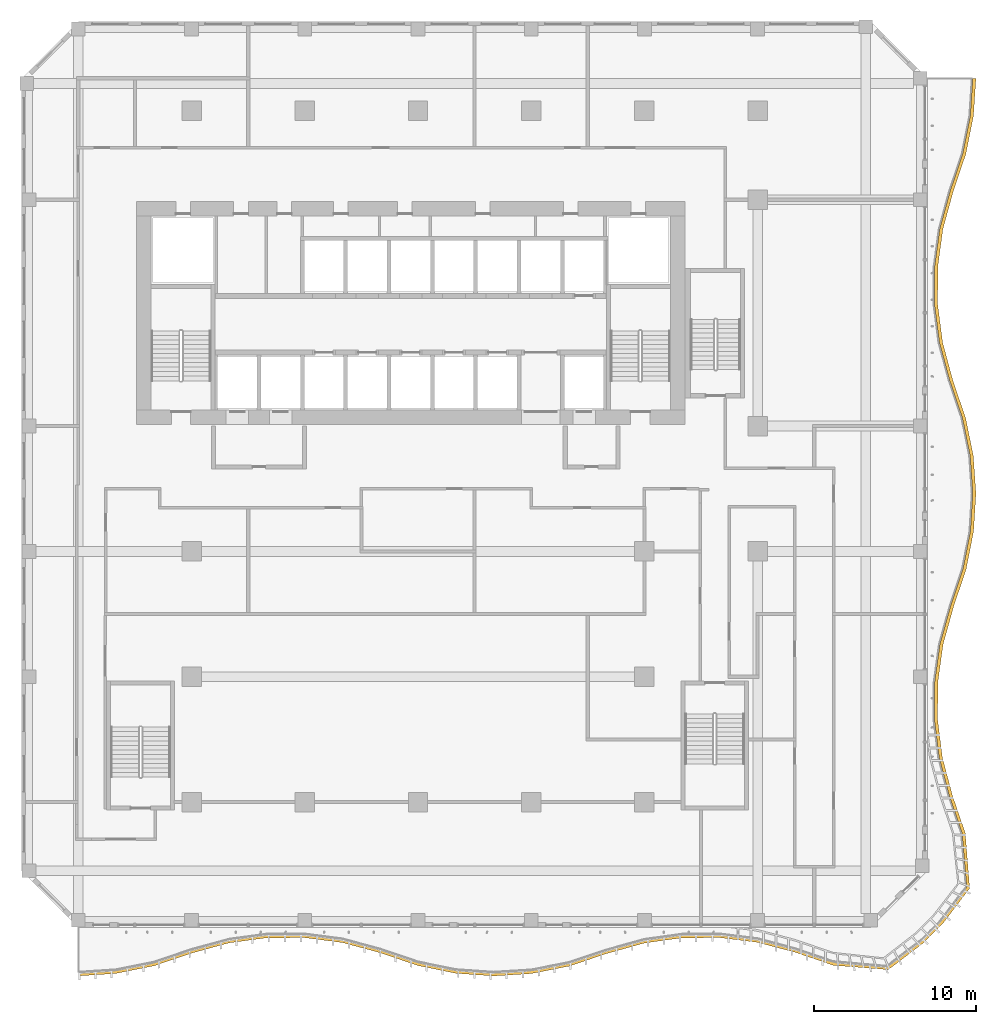
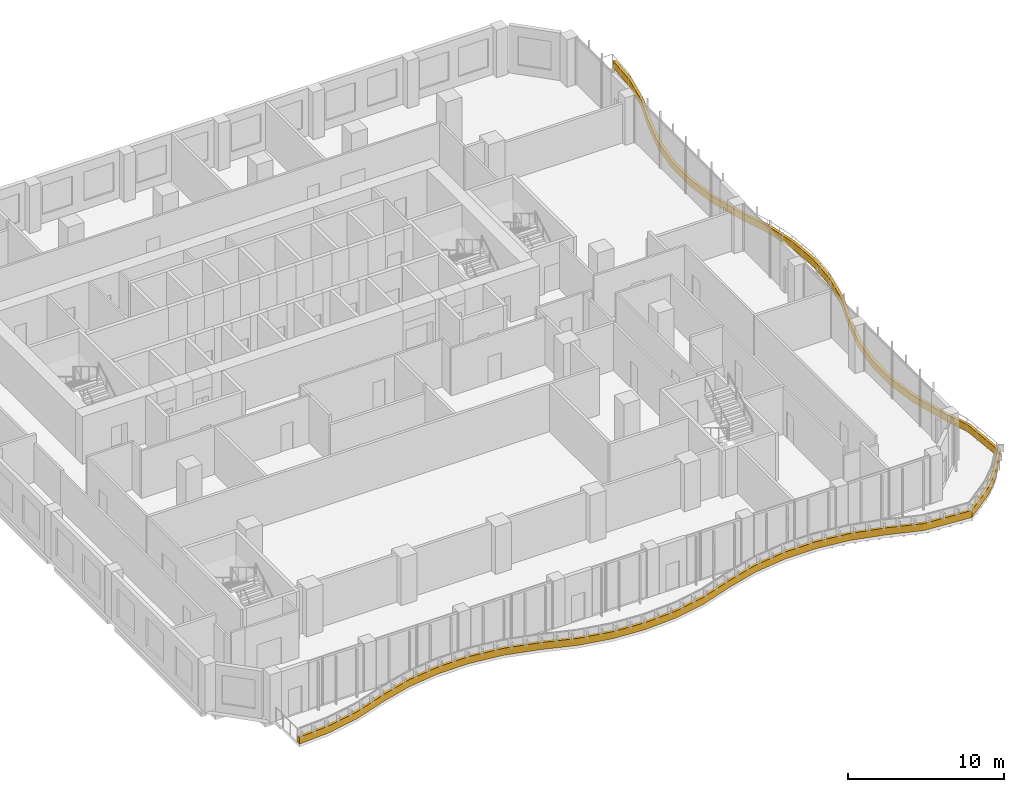
# One storey, part 23 of 27: 1 shading device.
"""IFC4 building model written with IfcOpenShell, lengths in metres."""

import ifcopenshell
import ifcopenshell.guid

model = None  # the IFC model being written
_history = None  # IfcOwnerHistory: only IFC2X3 demands one
_inside = {}  # id of a spatial element -> (the spatial element, [elements in it])
_under = {}  # id of a project, library or spatial element -> (it, [spatial elements below it])
_declared = {}  # id of a project -> (the project, [libraries it declares])
_typed = {}  # id of a type object -> (the type object, [elements of that type])
_made_of = {}  # id of a material, layer set ... -> (it, [elements and type objects made of it])


def new_model(schema):
    """Start an empty IFC model of exactly this schema.

    Asked for "IFC4X3", IfcOpenShell would pick the latest addendum, in which some entities
    have other attributes; the version numbers below select the first issue.
    IFC2X3 requires an IfcOwnerHistory on every rooted entity: one is made here for all.
    """
    global model, _history
    if schema == "IFC4X3":
        model = ifcopenshell.file(schema_version=(4, 3, 0, 0))
    else:
        model = ifcopenshell.file(schema=schema)
    _inside.clear()
    _under.clear()
    _declared.clear()
    _typed.clear()
    _made_of.clear()
    _history = None
    if model.schema == "IFC2X3":
        org = make("IfcOrganization", Name="unknown")
        user = make(
            "IfcPersonAndOrganization",
            ThePerson=make("IfcPerson", FamilyName="unknown"),
            TheOrganization=org,
        )
        app = make(
            "IfcApplication",
            ApplicationDeveloper=org,
            Version="unknown",
            ApplicationFullName="unknown",
            ApplicationIdentifier="unknown",
        )
        _history = make(
            "IfcOwnerHistory",
            OwningUser=user,
            OwningApplication=app,
            ChangeAction="ADDED",
            CreationDate=0,
        )
    return model


def make(cls, **values):
    """One entity of the class cls with the attributes given. An attribute that is None is left unset."""
    return model.create_entity(
        cls, **{name: value for name, value in values.items() if value is not None}
    )


def rooted(cls, **values):
    """An entity with a GlobalId (a new one), such as an element, a storey or a relation."""
    return make(cls, GlobalId=ifcopenshell.guid.new(), OwnerHistory=_history, **values)


def si_unit(unit_type, name, prefix=None):
    """IfcSIUnit, for example si_unit("LENGTHUNIT", "METRE", prefix="MILLI")."""
    return make("IfcSIUnit", UnitType=unit_type, Prefix=prefix, Name=name)


def assignment(units):
    """IfcUnitAssignment: the units of a project."""
    return None if units is None else make("IfcUnitAssignment", Units=units)


def point(xyz):
    """IfcCartesianPoint."""
    return None if xyz is None else make("IfcCartesianPoint", Coordinates=xyz)


def direction(xyz):
    """IfcDirection."""
    return None if xyz is None else make("IfcDirection", DirectionRatios=xyz)


def frame(location, z_axis=None, x_axis=None):
    """IfcAxis2Placement3D, a coordinate frame: its origin and axes. An axis left out is left unset."""
    return make(
        "IfcAxis2Placement3D",
        Location=point(location),
        Axis=direction(z_axis),
        RefDirection=direction(x_axis),
    )


def origin():
    """The frame at (0, 0, 0) with its axes left unset."""
    return frame((0.0, 0.0, 0.0))


def place(relative_to, where):
    """IfcLocalPlacement: puts the frame where relative to a parent placement (None: the world)."""
    return make(
        "IfcLocalPlacement", PlacementRelTo=relative_to, RelativePlacement=where
    )


def context(
    kind, dimensions, precision=None, world=None, true_north=None, identifier=None
):
    """IfcGeometricRepresentationContext, for example the 3D "Model" context."""
    return make(
        "IfcGeometricRepresentationContext",
        ContextIdentifier=identifier,
        ContextType=kind,
        CoordinateSpaceDimension=dimensions,
        Precision=precision,
        WorldCoordinateSystem=world,
        TrueNorth=true_north,
    )


def subcontext(parent, identifier, kind, view, scale=None):
    """IfcGeometricRepresentationSubContext, for example "Body" below "Model"."""
    return make(
        "IfcGeometricRepresentationSubContext",
        ContextIdentifier=identifier,
        ContextType=kind,
        ParentContext=parent,
        TargetScale=scale,
        TargetView=view,
    )


def project(units=None, contexts=None):
    """IfcProject with its units and contexts."""
    return rooted(
        "IfcProject",
        Name="project",
        RepresentationContexts=contexts,
        UnitsInContext=assignment(units),
    )


def spatial(cls, under=None, at=None, **own):
    """A site, building, storey or space (cls), placed at a placement, below another one or the project."""
    s = rooted(cls, ObjectPlacement=at, **own)
    if under is not None:
        _under.setdefault(under.id(), (under, []))[1].append(s)
    return s


def polyline(points):
    """IfcPolyline through the points."""
    return make("IfcPolyline", Points=[point(p) for p in points])


def outline(outer, holes=None, kind="AREA"):
    """IfcArbitraryClosedProfileDef: a profile drawn as a closed curve; with holes, ...WithVoids."""
    if holes is None:
        return make("IfcArbitraryClosedProfileDef", ProfileType=kind, OuterCurve=outer)
    return make(
        "IfcArbitraryProfileDefWithVoids",
        ProfileType=kind,
        OuterCurve=outer,
        InnerCurves=holes,
    )


def extrude(swept, where, along, depth):
    """IfcExtrudedAreaSolid: the profile swept, set in the frame where, extruded along a direction by depth."""
    return make(
        "IfcExtrudedAreaSolid",
        SweptArea=swept,
        Position=where,
        ExtrudedDirection=direction(along),
        Depth=depth,
    )


def shape(context_of_items, identifier, shape_type, items):
    """IfcShapeRepresentation: the items that make up one representation, for example the "Body"."""
    return make(
        "IfcShapeRepresentation",
        ContextOfItems=context_of_items,
        RepresentationIdentifier=identifier,
        RepresentationType=shape_type,
        Items=items,
    )


def source(mapping_origin, context_of_items, identifier, shape_type, items):
    """IfcRepresentationMap: a shape defined once, which mapped items show again and again."""
    return make(
        "IfcRepresentationMap",
        MappingOrigin=mapping_origin,
        MappedRepresentation=shape(context_of_items, identifier, shape_type, items),
    )


def transform(
    local_origin,
    x_axis=None,
    y_axis=None,
    z_axis=None,
    scale=None,
    scale2=None,
    scale3=None,
    uniform=True,
):
    """IfcCartesianTransformationOperator3D, or its non-uniform kind. x_axis, y_axis, z_axis: its Axis1, 2, 3."""
    if uniform:
        return make(
            "IfcCartesianTransformationOperator3D",
            Axis1=direction(x_axis),
            Axis2=direction(y_axis),
            LocalOrigin=point(local_origin),
            Scale=scale,
            Axis3=direction(z_axis),
        )
    return make(
        "IfcCartesianTransformationOperator3DnonUniform",
        Axis1=direction(x_axis),
        Axis2=direction(y_axis),
        LocalOrigin=point(local_origin),
        Scale=scale,
        Axis3=direction(z_axis),
        Scale2=scale2,
        Scale3=scale3,
    )


def mapped(mapping_source, mapping_target):
    """IfcMappedItem: shows the shape of a source again, moved by a transform."""
    return make(
        "IfcMappedItem", MappingSource=mapping_source, MappingTarget=mapping_target
    )


def material(Name=None, Category=None):
    """IfcMaterial."""
    return make("IfcMaterial", Name=Name, Category=Category)


def layer(
    of_material, thickness, ventilated=None, Name=None, Category=None, Priority=None
):
    """IfcMaterialLayer: one layer of a wall or slab, of a material (None: an air gap)."""
    return make(
        "IfcMaterialLayer",
        Material=of_material,
        LayerThickness=thickness,
        IsVentilated=ventilated,
        Name=Name,
        Category=Category,
        Priority=Priority,
    )


def layer_set(layers, Name=None):
    """IfcMaterialLayerSet."""
    return make("IfcMaterialLayerSet", MaterialLayers=layers, LayerSetName=Name)


def made_of(thing, what):
    """Note that an element or type object is made of a material, layer set ...; save() writes the relation."""
    if what is not None:
        _made_of.setdefault(what.id(), (what, []))[1].append(thing)
    return thing


def type_object(cls, material=None, **own):
    """A type object (cls), such as IfcWallType, which elements share."""
    return made_of(rooted(cls, **own), material)


def element(
    cls,
    number,
    at=None,
    inside=None,
    cuts=None,
    type_object=None,
    material=None,
    context=None,
    identifier="Body",
    shape_type=None,
    held_by="IfcProductDefinitionShape",
    body=None,
    shapes=None,
    **own,
):
    """One element of the class cls, such as IfcWall. Its Tag is "e" and its number.

    at: its placement. inside: the storey or other place that contains it. cuts: it is an
    opening in that element (IfcRelVoidsElement). A single representation is given by context,
    identifier, shape_type and body (its items); several are given by shapes. held_by: the class
    of the entity that holds the representations. save() writes the other relations.
    """
    e = rooted(cls, Tag="e%d" % number, ObjectPlacement=at, **own)
    if body is not None:
        shapes = [shape(context, identifier, shape_type, body)]
    if shapes is not None:
        e.Representation = make(held_by, Representations=shapes)
    if inside is not None:
        _inside.setdefault(inside.id(), (inside, []))[1].append(e)
    if cuts is not None:
        rooted(
            "IfcRelVoidsElement", RelatingBuildingElement=cuts, RelatedOpeningElement=e
        )
    if type_object is not None:
        _typed.setdefault(type_object.id(), (type_object, []))[1].append(e)
    return made_of(e, material)


def aggregate(whole, parts):
    """IfcRelAggregates: a whole, such as a stair, and the parts it consists of."""
    return rooted("IfcRelAggregates", RelatingObject=whole, RelatedObjects=parts)


def save(model, path):
    """Write the relations noted so far, then the file.

    IfcRelAggregates (storeys below a building ...), IfcRelContainedInSpatialStructure (elements
    in a storey), IfcRelDefinesByType, IfcRelAssociatesMaterial and IfcRelDeclares: one each for
    every whole, place, type object, material and project.
    """
    for whole, parts in _under.values():
        aggregate(whole, parts)
    for where, things in _inside.values():
        rooted(
            "IfcRelContainedInSpatialStructure",
            RelatedElements=things,
            RelatingStructure=where,
        )
    for kind, things in _typed.values():
        rooted("IfcRelDefinesByType", RelatedObjects=things, RelatingType=kind)
    for what, things in _made_of.values():
        rooted("IfcRelAssociatesMaterial", RelatedObjects=things, RelatingMaterial=what)
    for by, libraries in _declared.values():
        rooted("IfcRelDeclares", RelatingContext=by, RelatedDefinitions=libraries)
    model.write(path)


model = new_model("IFC4")

# Units and contexts
model_context = context("Model", 3, precision=1e-05, world=origin(), true_north=direction((0.0, 1.0)))
body_context = subcontext(model_context, "Body", "Model", "MODEL_VIEW")
ifc_project = project(units=[si_unit("LENGTHUNIT", "METRE"), si_unit("AREAUNIT", "SQUARE_METRE"), si_unit("VOLUMEUNIT", "CUBIC_METRE"), si_unit("PLANEANGLEUNIT", "RADIAN"), si_unit("MASSUNIT", "GRAM", prefix="KILO")], contexts=[model_context])

# Site, building, storey
site_placement = place(None, origin())
site = spatial("IfcSite", under=ifc_project, at=site_placement, CompositionType="ELEMENT")
building_placement = place(site_placement, origin())
building = spatial("IfcBuilding", under=site, at=building_placement, Name="Kilnfold Tower and Market Hall", CompositionType="ELEMENT")
storey_placement = place(building_placement, frame((0.0, 0.0, 112.60009765625)))
storey = spatial("IfcBuildingStorey", under=building, at=storey_placement, Name="L26", CompositionType="ELEMENT", Elevation=112.60009765625)

# Shading device
ifc_material = material(Name="Precast concrete C50/60", Category="concrete")
ifc_layer = layer(ifc_material, 0.550048828125)
ifc_layer_set = layer_set([ifc_layer], Name="Precast concrete C50/60")
shading_device_type = type_object("IfcShadingDeviceType", Name="BALCONY UPSTAND 550", PredefinedType="USERDEFINED", material=ifc_layer_set)
shared_shape = source(origin(), body_context, "Body", "SweptSolid", [
    extrude(outline(polyline([(-19.5, -26.0), (-17.166748046875, -25.8466796875), (-14.833251953125, -25.379150390625), (-12.5, -24.59228515625), (-10.166748046875, -23.95361328125), (-7.833251953125, -23.640380859375), (-5.5, -23.635986328125), (-3.166748046875, -23.939453125), (-0.833251953125, -24.56787109375), (1.5, -25.35986328125), (3.833251953125, -25.83740234375), (6.166748046875, -26.0), (8.5, -25.85595703125), (10.833251953125, -25.398193359375), (13.166748046875, -24.6171875), (15.5, -23.968017578125), (17.833251953125, -23.6455078125), (20.166748046875, -23.631591796875), (22.5, -23.925537109375), (24.833251953125, -24.543701171875), (27.166748046875, -25.340087890625), (30.58203125, -25.6123046875), (32.7744140625, -23.941162109375), (33.941162109375, -22.7744140625), (35.6123046875, -20.58203125), (35.340087890625, -17.166748046875), (34.543701171875, -14.833251953125), (33.925537109375, -12.5), (33.631591796875, -10.166748046875), (33.6455078125, -7.833251953125), (33.968017578125, -5.5), (34.6171875, -3.166748046875), (35.398193359375, -0.833251953125), (35.85595703125, 1.5), (36.0, 3.833251953125), (35.83740234375, 6.166748046875), (35.35986328125, 8.5), (34.56787109375, 10.833251953125), (33.939453125, 13.166748046875), (33.635986328125, 15.5), (33.640380859375, 17.833251953125), (33.95361328125, 20.166748046875), (34.59228515625, 22.5), (35.379150390625, 24.833251953125), (35.8466796875, 27.166748046875), (36.0, 29.5), (35.800048828125, 29.5), (35.646728515625, 27.166748046875), (35.17919921875, 24.833251953125), (34.392333984375, 22.5), (33.753662109375, 20.166748046875), (33.4404296875, 17.833251953125), (33.435791015625, 15.5), (33.739501953125, 13.166748046875), (34.367919921875, 10.833251953125), (35.159912109375, 8.5), (35.637451171875, 6.166748046875), (35.7998046875, 3.833251953125), (35.656005859375, 1.5), (35.1982421875, -0.833251953125), (34.4169921875, -3.166748046875), (33.76806640625, -5.5), (33.4453125, -7.833251953125), (33.431396484375, -10.166748046875), (33.7255859375, -12.5), (34.34375, -14.833251953125), (35.14013671875, -17.166748046875), (35.427490234375, -20.505615234375), (33.7998046875, -22.633056640625), (32.633056640625, -23.7998046875), (30.505615234375, -25.427490234375), (27.166748046875, -25.14013671875), (24.833251953125, -24.34375), (22.5, -23.7255859375), (20.166748046875, -23.431396484375), (17.833251953125, -23.4453125), (15.5, -23.76806640625), (13.166748046875, -24.4169921875), (10.833251953125, -25.1982421875), (8.5, -25.656005859375), (6.166748046875, -25.7998046875), (3.833251953125, -25.637451171875), (1.5, -25.159912109375), (-0.833251953125, -24.367919921875), (-3.166748046875, -23.739501953125), (-5.5, -23.435791015625), (-7.833251953125, -23.4404296875), (-10.166748046875, -23.753662109375), (-12.5, -24.392333984375), (-14.833251953125, -25.17919921875), (-17.166748046875, -25.646728515625), (-19.5, -25.800048828125), (-19.5, -26.0)])), origin(), (0.0, 0.0, 1.0), 0.5498046875),
])
shading_device_placement = place(storey_placement, origin())
element("IfcShadingDevice", 1, at=shading_device_placement, inside=storey, type_object=shading_device_type, Name="Balcony fascia L26", ObjectType="FASCIA", PredefinedType="USERDEFINED", context=body_context, shape_type="MappedRepresentation", body=[
    mapped(shared_shape, transform((0.0, 0.0, 0.0))),
])

save(model, "model.ifc")
